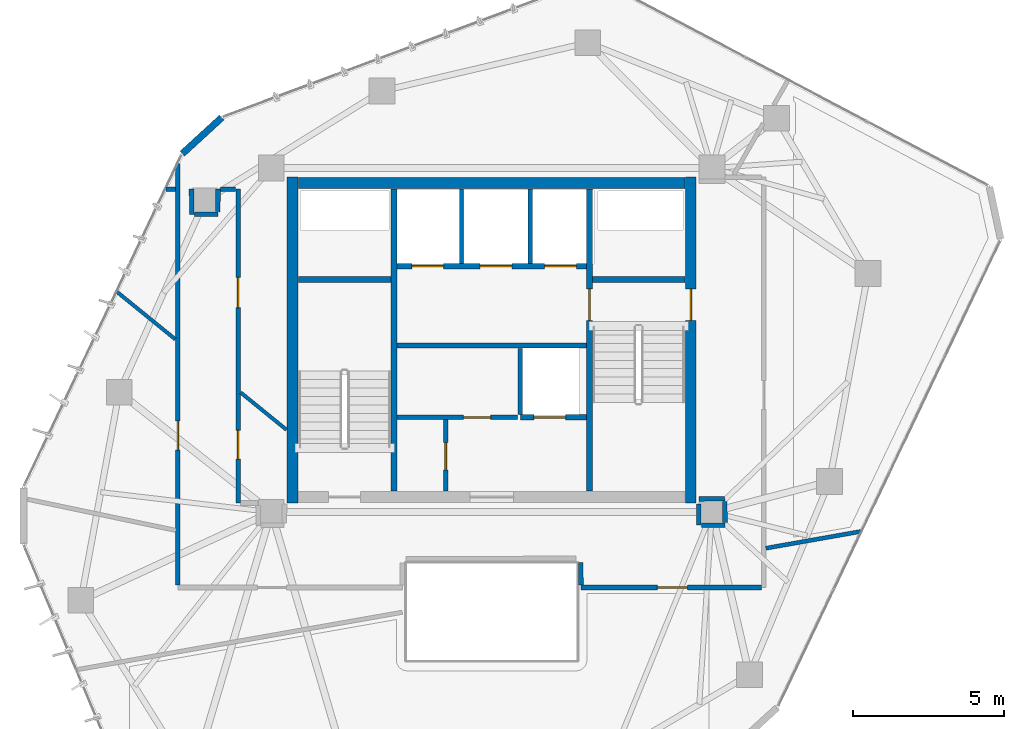
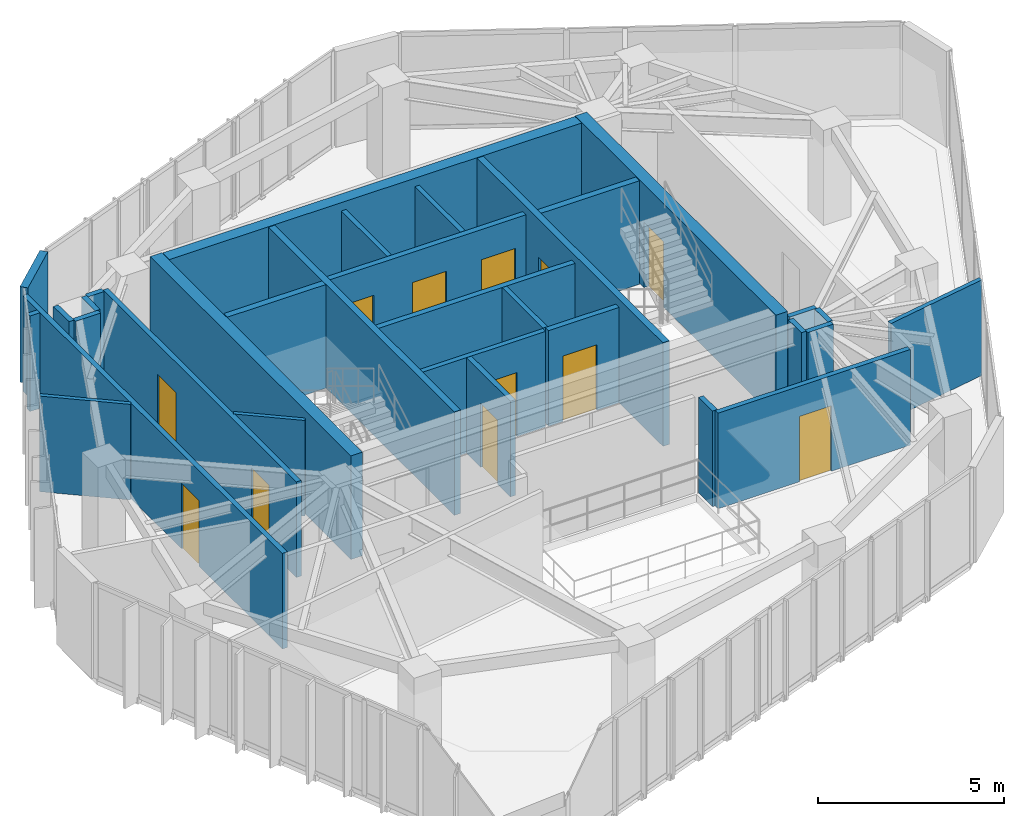
# One storey, part 17 of 20: 32 walls, 12 doors, 12 openings.
"""IFC4 building model written with IfcOpenShell, lengths in metres."""

from ifc_helpers import new_model, si_unit, direction, frame, frame_2d, origin, place, context, subcontext, project, spatial, rectangle, extrude, source, transform, mapped, material, layer, layer_set, type_object, type_shapes, element, fill, save


model = new_model("IFC4")

# Units and contexts
model_context = context("Model", 3, precision=1e-05, world=origin(), true_north=direction((0.0, 1.0)))
body_context = subcontext(model_context, "Body", "Model", "MODEL_VIEW")
ifc_project = project(units=[si_unit("LENGTHUNIT", "METRE"), si_unit("AREAUNIT", "SQUARE_METRE"), si_unit("VOLUMEUNIT", "CUBIC_METRE"), si_unit("PLANEANGLEUNIT", "RADIAN"), si_unit("MASSUNIT", "GRAM", prefix="KILO")], contexts=[model_context])

# Site, building, storey
site_placement = place(None, origin())
site = spatial("IfcSite", under=ifc_project, at=site_placement, CompositionType="ELEMENT")
building_placement = place(site_placement, origin())
building = spatial("IfcBuilding", under=site, at=building_placement, Name="Talar Marvaseh", CompositionType="ELEMENT")
storey_placement = place(building_placement, frame((0.0, 0.0, 281.60009765625)))
storey = spatial("IfcBuildingStorey", under=building, at=storey_placement, Name="L75", CompositionType="ELEMENT", Elevation=281.60009765625)

# Wall
ifc_material_1 = material(Name="Precast concrete C45/55", Category="concrete")
ifc_layer_1 = layer(ifc_material_1, 0.22509765625)
ifc_layer_set_1 = layer_set([ifc_layer_1], Name="Precast concrete C45/55")
wall_type_1 = type_object("IfcWallType", Name="Chamfered Hexagonal Corner Pier Wall Z4 225", PredefinedType="SOLIDWALL", material=ifc_layer_set_1)
wall_1_placement = place(storey_placement, frame((15.74560546875, 37.372802734375, 0.0), z_axis=(0.0, 0.0, 1.0), x_axis=(0.737347608301, 0.675513511733, 0.0)))
element("IfcWall", 1, at=wall_1_placement, inside=storey, type_object=wall_type_1, Name="L75 Chamfered Corner Limestone Pier 3", PredefinedType="SOLIDWALL", context=body_context, shape_type="SweptSolid", body=[
    extrude(rectangle(XDim=1.78076171875, YDim=0.22509765625, at=frame_2d((0.890380859375, 0.0))), origin(), (0.0, 0.0, 1.0), 3.139892578125),
])

# Wall, opening, door
ifc_material_2 = material(Name="Gypsum Board Partition Assembly")
ifc_layer_2 = layer(ifc_material_2, 0.155029296875)
ifc_layer_set_2 = layer_set([ifc_layer_2], Name="Gypsum Board Partition Assembly")
wall_type_2 = type_object("IfcWallType", Name="Corridor Fire-Rated Acoustic Partition 155", PredefinedType="PARTITIONING", material=ifc_layer_set_2)
wall_2_placement = place(storey_placement, frame((22.865966796875, 28.639892578125, 0.0), z_axis=(0.0, 0.0, 1.0), x_axis=(1.0, 0.0, 0.0)))
wall_2 = element("IfcWall", 2, at=wall_2_placement, inside=storey, type_object=wall_type_2, Name="L75 Core BOH Partition", PredefinedType="PARTITIONING", context=body_context, shape_type="SweptSolid", body=[
    extrude(rectangle(XDim=3.994140625, YDim=0.155029296875, at=frame_2d((1.9970703125, 0.0))), origin(), (0.0, 0.0, 1.0), 3.139892578125),
])
opening_1_placement = place(wall_2_placement, frame((2.199951171875, 0.0, 0.0)))
opening_1 = element("IfcOpeningElement", 3, at=opening_1_placement, cuts=wall_2, Name="Opening DR-BOH090", PredefinedType="OPENING", context=body_context, shape_type="SweptSolid", body=[
    extrude(rectangle(XDim=0.89990234375, YDim=2.10009765625, at=frame_2d((0.449951171875, 1.050048828125))), frame((0.0, 0.08740234375, 0.0), z_axis=(0.0, -1.0, 0.0), x_axis=(1.0, 0.0, 0.0)), (0.0, 0.0, 1.0), 0.175048828125),
])
ifc_material_3 = material(Name="Fire-Rated Steel Door Leaf", Category="steel")
door_type_1 = type_object("IfcDoorType", Name="Core Back-of-House Service Door 900x2100", OperationType="NOTDEFINED", PredefinedType="DOOR", material=ifc_material_3)
shared_shape_1 = source(origin(), body_context, "Body", "SweptSolid", [
    extrude(rectangle(XDim=0.89990234375, YDim=2.10009765625, at=frame_2d((0.449951171875, 1.050048828125))), frame((0.0, 0.02490234375, 0.0), z_axis=(0.0, -1.0, 0.0), x_axis=(1.0, 0.0, 0.0)), (0.0, 0.0, 1.0), 0.050048828125),
])
type_shapes(door_type_1, [shared_shape_1])
door_1_placement = place(opening_1_placement, origin())
door_1 = element("IfcDoor", 4, at=door_1_placement, inside=storey, type_object=door_type_1, Name="L75 Store Sky Core Archive Room Door", OperationType="SINGLE_SWING_LEFT", OverallHeight=2.10009765625, OverallWidth=0.89990234375, PredefinedType="DOOR", context=body_context, shape_type="MappedRepresentation", body=[
    mapped(shared_shape_1, transform((0.0, 0.0, 0.0), x_axis=(1.0, 0.0, 0.0), y_axis=(0.0, 1.0, 0.0), z_axis=(0.0, 0.0, 1.0), scale=1.0)),
])
fill(opening_1, door_1)

wall_3_placement = place(storey_placement, frame((24.47998046875, 26.199951171875, 0.0), z_axis=(0.0, 0.0, 1.0), x_axis=(0.0, 1.0, 0.0)))
wall_3 = element("IfcWall", 5, at=wall_3_placement, inside=storey, type_object=wall_type_2, Name="L75 Core BOH Partition", PredefinedType="PARTITIONING", context=body_context, shape_type="SweptSolid", body=[
    extrude(rectangle(XDim=2.360107421875, YDim=0.155029296875, at=frame_2d((1.18017578125, 0.0))), origin(), (0.0, 0.0, 1.0), 3.139892578125),
])
opening_2_placement = place(wall_3_placement, frame((0.699951171875, 0.0, 0.0)))
opening_2 = element("IfcOpeningElement", 6, at=opening_2_placement, cuts=wall_3, Name="Opening DR-BOH090", PredefinedType="OPENING", context=body_context, shape_type="SweptSolid", body=[
    extrude(rectangle(XDim=0.89990234375, YDim=2.10009765625, at=frame_2d((0.449951171875, 1.050048828125))), frame((0.0, 0.08740234375, 0.0), z_axis=(0.0, -1.0, 0.0), x_axis=(1.0, 0.0, 0.0)), (0.0, 0.0, 1.0), 0.175048828125),
])
door_2_placement = place(opening_2_placement, origin())
door_2 = element("IfcDoor", 7, at=door_2_placement, inside=storey, type_object=door_type_1, Name="L75 Cleaner and Linen Store Door", OperationType="SINGLE_SWING_LEFT", OverallHeight=2.10009765625, OverallWidth=0.89990234375, PredefinedType="DOOR", context=body_context, shape_type="MappedRepresentation", body=[
    mapped(shared_shape_1, transform((0.0, 0.0, 0.0), x_axis=(1.0, 0.0, 0.0), y_axis=(0.0, 1.0, 0.0), z_axis=(0.0, 0.0, 1.0), scale=1.0)),
])
fill(opening_2, door_2)

# Wall, openings, doors
wall_4_placement = place(storey_placement, frame((17.60009765625, 36.199951171875, 0.0), z_axis=(0.0, 0.0, 1.0), x_axis=(0.0, -1.0, 0.0)))
wall_4 = element("IfcWall", 8, at=wall_4_placement, inside=storey, type_object=wall_type_2, Name="L75 Interior Partition Wall", PredefinedType="PARTITIONING", context=body_context, shape_type="SweptSolid", body=[
    extrude(rectangle(XDim=10.39990234375, YDim=0.155029296875, at=frame_2d((5.199951171875, 0.0))), origin(), (0.0, 0.0, 1.0), 3.139892578125),
])
opening_3_placement = place(wall_4_placement, frame((7.989990234375, 0.0, 0.0)))
opening_3 = element("IfcOpeningElement", 9, at=opening_3_placement, cuts=wall_4, Name="Opening DR-WC095", PredefinedType="OPENING", context=body_context, shape_type="SweptSolid", body=[
    extrude(rectangle(XDim=0.949951171875, YDim=2.14990234375, at=frame_2d((0.47509765625, 1.074951171875))), frame((0.0, 0.08740234375, 0.0), z_axis=(0.0, -1.0, 0.0), x_axis=(1.0, 0.0, 0.0)), (0.0, 0.0, 1.0), 0.175048828125),
])
opening_4_placement = place(wall_4_placement, frame((2.92529296875, 0.0, 0.0)))
opening_4 = element("IfcOpeningElement", 10, at=opening_4_placement, cuts=wall_4, Name="Opening DR-RM100", PredefinedType="OPENING", context=body_context, shape_type="SweptSolid", body=[
    extrude(rectangle(XDim=1.0, YDim=2.14990234375, at=frame_2d((0.5, 1.074951171875))), frame((0.0, 0.08740234375, 0.0), z_axis=(0.0, -1.0, 0.0), x_axis=(1.0, 0.0, 0.0)), (0.0, 0.0, 1.0), 0.175048828125),
])
ifc_material_4 = material(Name="Acoustic Engineered Oak Timber", Category="wood")
door_type_2 = type_object("IfcDoorType", Name="Washroom and Service Room Door 950x2150", OperationType="NOTDEFINED", PredefinedType="DOOR", material=ifc_material_4)
shared_shape_2 = source(origin(), body_context, "Body", "SweptSolid", [
    extrude(rectangle(XDim=0.949951171875, YDim=2.14990234375, at=frame_2d((0.47509765625, 1.074951171875))), frame((0.0, 0.02490234375, 0.0), z_axis=(0.0, -1.0, 0.0), x_axis=(1.0, 0.0, 0.0)), (0.0, 0.0, 1.0), 0.050048828125),
])
type_shapes(door_type_2, [shared_shape_2])
door_3_placement = place(opening_3_placement, origin())
door_3 = element("IfcDoor", 11, at=door_3_placement, inside=storey, type_object=door_type_2, Name="L75 WC Public Washrooms Door", OperationType="SINGLE_SWING_RIGHT", OverallHeight=2.14990234375, OverallWidth=0.949951171875, PredefinedType="DOOR", context=body_context, shape_type="MappedRepresentation", body=[
    mapped(shared_shape_2, transform((0.0, 0.0, 0.0), x_axis=(1.0, 0.0, 0.0), y_axis=(0.0, 1.0, 0.0), z_axis=(0.0, 0.0, 1.0), scale=1.0)),
])
fill(opening_3, door_3)
door_type_3 = type_object("IfcDoorType", Name="Corridor Fire-Rated Gallery Door 1000x2150", OperationType="NOTDEFINED", PredefinedType="DOOR", material=ifc_material_4)
shared_shape_3 = source(origin(), body_context, "Body", "SweptSolid", [
    extrude(rectangle(XDim=1.0, YDim=2.14990234375, at=frame_2d((0.5, 1.074951171875))), frame((0.0, 0.02490234375, 0.0), z_axis=(0.0, -1.0, 0.0), x_axis=(1.0, 0.0, 0.0)), (0.0, 0.0, 1.0), 0.050048828125),
])
type_shapes(door_type_3, [shared_shape_3])
door_4_placement = place(opening_4_placement, origin())
door_4 = element("IfcDoor", 12, at=door_4_placement, inside=storey, type_object=door_type_3, Name="L75 Registrar Mail and Post Room Door", OperationType="SINGLE_SWING_RIGHT", OverallHeight=2.14990234375, OverallWidth=1.0, PredefinedType="DOOR", context=body_context, shape_type="MappedRepresentation", body=[
    mapped(shared_shape_3, transform((0.0, 0.0, 0.0), x_axis=(1.0, 0.0, 0.0), y_axis=(0.0, 1.0, 0.0), z_axis=(0.0, 0.0, 1.0), scale=1.0)),
])
fill(opening_4, door_4)

# Wall, opening, door
wall_5_placement = place(storey_placement, frame((34.9365234375, 23.0, 0.0), z_axis=(0.0, 0.0, 1.0), x_axis=(-1.0, 0.0, 0.0)))
wall_5 = element("IfcWall", 13, at=wall_5_placement, inside=storey, type_object=wall_type_2, Name="L75 Interior Partition Wall", PredefinedType="PARTITIONING", context=body_context, shape_type="SweptSolid", body=[
    extrude(rectangle(XDim=5.9765625, YDim=0.155029296875, at=frame_2d((2.98828125, 0.0))), origin(), (0.0, 0.0, 1.0), 3.139892578125),
])
opening_5_placement = place(wall_5_placement, frame((2.446533203125, 0.0, 0.0)))
opening_5 = element("IfcOpeningElement", 14, at=opening_5_placement, cuts=wall_5, Name="Opening DR-RM100", PredefinedType="OPENING", context=body_context, shape_type="SweptSolid", body=[
    extrude(rectangle(XDim=1.0, YDim=2.14990234375, at=frame_2d((0.5, 1.074951171875))), frame((0.0, 0.08740234375, 0.0), z_axis=(0.0, -1.0, 0.0), x_axis=(1.0, 0.0, 0.0)), (0.0, 0.0, 1.0), 0.175048828125),
])
door_5_placement = place(opening_5_placement, origin())
door_5 = element("IfcDoor", 15, at=door_5_placement, inside=storey, type_object=door_type_3, Name="L75 Curatorial Staff Control Room Door", OperationType="SINGLE_SWING_RIGHT", OverallHeight=2.14990234375, OverallWidth=1.0, PredefinedType="DOOR", context=body_context, shape_type="MappedRepresentation", body=[
    mapped(shared_shape_3, transform((0.0, 0.0, 0.0), x_axis=(1.0, 0.0, 0.0), y_axis=(0.0, 1.0, 0.0), z_axis=(0.0, 0.0, 1.0), scale=1.0)),
])
fill(opening_5, door_5)

wall_6_placement = place(storey_placement, frame((15.60009765625, 23.08349609375, 0.0), z_axis=(0.0, 0.0, 1.0), x_axis=(0.0, 1.0, 0.0)))
wall_6 = element("IfcWall", 16, at=wall_6_placement, inside=storey, type_object=wall_type_2, Name="L75 Interior Partition Wall", PredefinedType="PARTITIONING", context=body_context, shape_type="SweptSolid", body=[
    extrude(rectangle(XDim=13.96826171875, YDim=0.155029296875, at=frame_2d((6.984130859375, 0.0))), origin(), (0.0, 0.0, 1.0), 3.139892578125),
])
opening_6_placement = place(wall_6_placement, frame((4.481201171875, 0.0, 0.0)))
opening_6 = element("IfcOpeningElement", 17, at=opening_6_placement, cuts=wall_6, Name="Opening DR-WC095", PredefinedType="OPENING", context=body_context, shape_type="SweptSolid", body=[
    extrude(rectangle(XDim=0.949951171875, YDim=2.14990234375, at=frame_2d((0.47509765625, 1.074951171875))), frame((0.0, 0.08740234375, 0.0), z_axis=(0.0, -1.0, 0.0), x_axis=(1.0, 0.0, 0.0)), (0.0, 0.0, 1.0), 0.175048828125),
])
door_6_placement = place(opening_6_placement, origin())
door_6 = element("IfcDoor", 18, at=door_6_placement, inside=storey, type_object=door_type_2, Name="L75 Accessible WC Door", OperationType="SINGLE_SWING_LEFT", OverallHeight=2.14990234375, OverallWidth=0.949951171875, PredefinedType="DOOR", context=body_context, shape_type="MappedRepresentation", body=[
    mapped(shared_shape_2, transform((0.0, 0.0, 0.0), x_axis=(1.0, 0.0, 0.0), y_axis=(0.0, 1.0, 0.0), z_axis=(0.0, 0.0, 1.0), scale=1.0)),
])
fill(opening_6, door_6)

# Walls
wall_7_placement = place(storey_placement, frame((16.053955078125, 36.199951171875, 0.0), z_axis=(0.0, 0.0, 1.0), x_axis=(0.018168161375, -0.999834945335, 0.0)))
element("IfcWall", 19, at=wall_7_placement, inside=storey, type_object=wall_type_2, Name="L75 Interior Partition Wall", PredefinedType="PARTITIONING", context=body_context, shape_type="SweptSolid", body=[
    extrude(rectangle(XDim=0.833251953125, YDim=0.155029296875, at=frame_2d((0.41650390625, 0.0))), origin(), (0.0, 0.0, 1.0), 3.139892578125),
])
wall_8_placement = place(storey_placement, frame((16.152587890625, 35.3671875, 0.0), z_axis=(0.0, 0.0, 1.0), x_axis=(0.999997558852, 0.002209590566, 0.0)))
element("IfcWall", 20, at=wall_8_placement, inside=storey, type_object=wall_type_2, Name="L75 Interior Partition Wall", PredefinedType="PARTITIONING", context=body_context, shape_type="SweptSolid", body=[
    extrude(rectangle(XDim=0.7734375, YDim=0.155029296875, at=frame_2d((0.38671875, 0.0))), origin(), (0.0, 0.0, 1.0), 3.139892578125),
])
wall_9_placement = place(storey_placement, frame((16.927001953125, 35.452392578125, 0.0), z_axis=(0.0, 0.0, 1.0), x_axis=(0.009470509294, 0.999955153721, 0.0)))
element("IfcWall", 21, at=wall_9_placement, inside=storey, type_object=wall_type_2, Name="L75 Interior Partition Wall", PredefinedType="PARTITIONING", context=body_context, shape_type="SweptSolid", body=[
    extrude(rectangle(XDim=0.74755859375, YDim=0.155029296875, at=frame_2d((0.373779296875, 0.0))), origin(), (0.0, 0.0, 1.0), 3.139892578125),
])
wall_10_placement = place(storey_placement, frame((17.017578125, 36.199951171875, 0.0), z_axis=(0.0, 0.0, 1.0), x_axis=(1.0, 0.0, 0.0)))
element("IfcWall", 22, at=wall_10_placement, inside=storey, type_object=wall_type_2, Name="L75 Interior Partition Wall", PredefinedType="PARTITIONING", context=body_context, shape_type="SweptSolid", body=[
    extrude(rectangle(XDim=0.4990234375, YDim=0.155029296875, at=frame_2d((0.24951171875, 0.0))), origin(), (0.0, 0.0, 1.0), 3.139892578125),
])
wall_11_placement = place(storey_placement, frame((28.959716796875, 23.08349609375, 0.0), z_axis=(0.0, 0.0, 1.0), x_axis=(-0.003917697652, 0.999992325793, 0.0)))
element("IfcWall", 23, at=wall_11_placement, inside=storey, type_object=wall_type_2, Name="L75 Interior Partition Wall", PredefinedType="PARTITIONING", context=body_context, shape_type="SweptSolid", body=[
    extrude(rectangle(XDim=0.747802734375, YDim=0.155029296875, at=frame_2d((0.3740234375, 0.0))), origin(), (0.0, 0.0, 1.0), 3.139892578125),
])
wall_12_placement = place(storey_placement, frame((15.2080078125, 36.199951171875, 0.0), z_axis=(0.0, 0.0, 1.0), x_axis=(1.0, 0.0, 0.0)))
element("IfcWall", 24, at=wall_12_placement, inside=storey, type_object=wall_type_2, Name="L75 Interior Partition Wall", PredefinedType="PARTITIONING", context=body_context, shape_type="SweptSolid", body=[
    extrude(rectangle(XDim=0.30859375, YDim=0.155029296875, at=frame_2d((0.154296875, 0.0))), origin(), (0.0, 0.0, 1.0), 3.139892578125),
])
wall_13_placement = place(storey_placement, frame((33.72509765625, 25.93994140625, 0.0), z_axis=(0.0, 0.0, 1.0), x_axis=(-0.999986790873, -0.005139852152, 0.0)))
element("IfcWall", 25, at=wall_13_placement, inside=storey, type_object=wall_type_2, Name="L75 Interior Partition Wall", PredefinedType="PARTITIONING", context=body_context, shape_type="SweptSolid", body=[
    extrude(rectangle(XDim=0.85498046875, YDim=0.155029296875, at=frame_2d((0.427490234375, 0.0))), origin(), (0.0, 0.0, 1.0), 3.139892578125),
])
wall_14_placement = place(storey_placement, frame((32.864501953125, 25.772705078125, 0.0), z_axis=(0.0, 0.0, 1.0), x_axis=(0.0, -1.0, 0.0)))
element("IfcWall", 26, at=wall_14_placement, inside=storey, type_object=wall_type_2, Name="L75 Interior Partition Wall", PredefinedType="PARTITIONING", context=body_context, shape_type="SweptSolid", body=[
    extrude(rectangle(XDim=0.708251953125, YDim=0.155029296875, at=frame_2d((0.35400390625, 0.0))), origin(), (0.0, 0.0, 1.0), 3.139892578125),
])
wall_15_placement = place(storey_placement, frame((32.947998046875, 25.064453125, 0.0), z_axis=(0.0, 0.0, 1.0), x_axis=(1.0, 0.0, 0.0)))
element("IfcWall", 27, at=wall_15_placement, inside=storey, type_object=wall_type_2, Name="L75 Interior Partition Wall", PredefinedType="PARTITIONING", context=body_context, shape_type="SweptSolid", body=[
    extrude(rectangle(XDim=0.78759765625, YDim=0.155029296875, at=frame_2d((0.393798828125, 0.0))), origin(), (0.0, 0.0, 1.0), 3.139892578125),
])
wall_16_placement = place(storey_placement, frame((33.734619140625, 25.14794921875, 0.0), z_axis=(0.0, 0.0, 1.0), x_axis=(-0.012059770759, 0.99992727832, 0.0)))
element("IfcWall", 28, at=wall_16_placement, inside=storey, type_object=wall_type_2, Name="L75 Interior Partition Wall", PredefinedType="PARTITIONING", context=body_context, shape_type="SweptSolid", body=[
    extrude(rectangle(XDim=0.70849609375, YDim=0.155029296875, at=frame_2d((0.354248046875, 0.0))), origin(), (0.0, 0.0, 1.0), 3.139892578125),
])
ifc_layer_3 = layer(ifc_material_2, 0.1201171875)
ifc_layer_set_3 = layer_set([ifc_layer_3], Name="Gypsum Board Partition Assembly")
wall_type_3 = type_object("IfcWallType", Name="Demountable Studio Room Partition 120", PredefinedType="PARTITIONING", material=ifc_layer_set_3)
wall_17_placement = place(storey_placement, frame((17.68359375, 29.462158203125, 0.0), z_axis=(0.0, 0.0, 1.0), x_axis=(0.77607960029, -0.630634960983, 0.0)))
element("IfcWall", 29, at=wall_17_placement, inside=storey, type_object=wall_type_3, Name="L75 Interior Partition Wall", PredefinedType="PARTITIONING", context=body_context, shape_type="SweptSolid", body=[
    extrude(rectangle(XDim=1.953857421875, YDim=0.1201171875, at=frame_2d((0.97705078125, 0.0))), origin(), (0.0, 0.0, 1.0), 3.139892578125),
])
wall_18_placement = place(storey_placement, frame((15.5166015625, 31.227783203125, 0.0), z_axis=(0.0, 0.0, 1.0), x_axis=(-0.775990656978, 0.630744401705, 0.0)))
element("IfcWall", 30, at=wall_18_placement, inside=storey, type_object=wall_type_3, Name="L75 Interior Partition Wall", PredefinedType="PARTITIONING", context=body_context, shape_type="SweptSolid", body=[
    extrude(rectangle(XDim=2.482666015625, YDim=0.1201171875, at=frame_2d((1.2412109375, 0.0))), origin(), (0.0, 0.0, 1.0), 3.139892578125),
])
ifc_layer_4 = layer(ifc_material_1, 0.14501953125)
ifc_layer_set_4 = layer_set([ifc_layer_4], Name="Precast concrete C45/55")
wall_type_4 = type_object("IfcWallType", Name="Fire-Rated Lift Divider Wall 145", PredefinedType="SOLIDWALL", material=ifc_layer_set_4)
for number, where, z_axis, x_axis, name in (
    (31, (25.0, 33.743408203125, 0.0), (0.0, 0.0, 1.0), (0.0, 1.0, 0.0), "L75 FFL-1/FFL-2 Divider"),
    (32, (27.280029296875, 33.743408203125, 0.0), (0.0, 0.0, 1.0), (0.0, 1.0, 0.0), "L75 FFL-2/SVL-1 Divider"),
):
    element("IfcWall", number, at=place(storey_placement, frame(where, z_axis=z_axis, x_axis=x_axis)), inside=storey, type_object=wall_type_4, Name=name, PredefinedType="SOLIDWALL", context=body_context, shape_type="SweptSolid", body=[
        extrude(rectangle(XDim=2.45654296875, YDim=0.14501953125, at=frame_2d((1.228271484375, 0.0))), origin(), (0.0, 0.0, 1.0), 3.139892578125),
    ])
wall_19_placement = place(storey_placement, frame((26.949951171875, 28.7333984375, 0.0), z_axis=(0.0, 0.0, 1.0), x_axis=(0.0, 1.0, 0.0)))
element("IfcWall", 33, at=wall_19_placement, inside=storey, type_object=wall_type_4, Name="L75 PL-H3 West Shaft Wall", PredefinedType="SOLIDWALL", context=body_context, shape_type="SweptSolid", body=[
    extrude(rectangle(XDim=2.193115234375, YDim=0.14501953125, at=frame_2d((1.0966796875, 0.0))), origin(), (0.0, 0.0, 1.0), 3.139892578125),
])

# Wall, openings, doors
ifc_layer_5 = layer(ifc_material_1, 0.175048828125)
ifc_layer_set_5 = layer_set([ifc_layer_5], Name="Precast concrete C45/55")
wall_type_5 = type_object("IfcWallType", Name="Fire-Rated Lift Hoistway Enclosure Wall 175", PredefinedType="SOLIDWALL", material=ifc_layer_set_5)
wall_20_placement = place(storey_placement, frame((22.860107421875, 33.64990234375, 0.0), z_axis=(0.0, 0.0, 1.0), x_axis=(1.0, 0.0, 0.0)))
wall_20 = element("IfcWall", 34, at=wall_20_placement, inside=storey, type_object=wall_type_5, Name="L75 Firefighting and Service Lift Front Wall", PredefinedType="SOLIDWALL", context=body_context, shape_type="SweptSolid", body=[
    extrude(rectangle(XDim=6.27978515625, YDim=0.175048828125, at=frame_2d((3.139892578125, 0.0))), origin(), (0.0, 0.0, 1.0), 3.139892578125),
])
opening_7_placement = place(wall_20_placement, frame((0.5, 0.0, 0.0)))
opening_7 = element("IfcOpeningElement", 35, at=opening_7_placement, cuts=wall_20, Name="Opening LD-FF1", PredefinedType="OPENING", context=body_context, shape_type="SweptSolid", body=[
    extrude(rectangle(XDim=1.050048828125, YDim=2.14990234375, at=frame_2d((0.52490234375, 1.074951171875))), frame((0.0, 0.09765625, 0.0), z_axis=(0.0, -1.0, 0.0), x_axis=(1.0, 0.0, 0.0)), (0.0, 0.0, 1.0), 0.195068359375),
])
opening_8_placement = place(wall_20_placement, frame((2.760009765625, 0.0, 0.0)))
opening_8 = element("IfcOpeningElement", 36, at=opening_8_placement, cuts=wall_20, Name="Opening LD-FF2", PredefinedType="OPENING", context=body_context, shape_type="SweptSolid", body=[
    extrude(rectangle(XDim=1.050048828125, YDim=2.14990234375, at=frame_2d((0.52490234375, 1.074951171875))), frame((0.0, 0.09765625, 0.0), z_axis=(0.0, -1.0, 0.0), x_axis=(1.0, 0.0, 0.0)), (0.0, 0.0, 1.0), 0.195068359375),
])
opening_9_placement = place(wall_20_placement, frame((4.89990234375, 0.0, 0.0)))
opening_9 = element("IfcOpeningElement", 37, at=opening_9_placement, cuts=wall_20, Name="Opening LD-SV1", PredefinedType="OPENING", context=body_context, shape_type="SweptSolid", body=[
    extrude(rectangle(XDim=1.050048828125, YDim=2.14990234375, at=frame_2d((0.52490234375, 1.074951171875))), frame((0.0, 0.09765625, 0.0), z_axis=(0.0, -1.0, 0.0), x_axis=(1.0, 0.0, 0.0)), (0.0, 0.0, 1.0), 0.195068359375),
])
ifc_material_5 = material(Name="Stainless Steel Grade 316", Category="steel")
door_type_4 = type_object("IfcDoorType", Name="Automatic Sliding Lift Landing Door 1050x2150", OperationType="NOTDEFINED", PredefinedType="DOOR", material=ifc_material_5)
shared_shape_4 = source(origin(), body_context, "Body", "SweptSolid", [
    extrude(rectangle(XDim=1.050048828125, YDim=2.14990234375, at=frame_2d((0.52490234375, 1.074951171875))), frame((0.0, 0.02490234375, 0.0), z_axis=(0.0, -1.0, 0.0), x_axis=(1.0, 0.0, 0.0)), (0.0, 0.0, 1.0), 0.050048828125),
])
type_shapes(door_type_4, [shared_shape_4])
door_7_placement = place(opening_7_placement, origin())
door_7 = element("IfcDoor", 38, at=door_7_placement, inside=storey, type_object=door_type_4, Name="L75 Lift FFL-1 Sliding Landing Door", OperationType="SLIDING_TO_LEFT", OverallHeight=2.14990234375, OverallWidth=1.050048828125, PredefinedType="DOOR", context=body_context, shape_type="MappedRepresentation", body=[
    mapped(shared_shape_4, transform((0.0, 0.0, 0.0), x_axis=(1.0, 0.0, 0.0), y_axis=(0.0, 1.0, 0.0), z_axis=(0.0, 0.0, 1.0), scale=1.0)),
])
fill(opening_7, door_7)
door_8_placement = place(opening_8_placement, origin())
door_8 = element("IfcDoor", 39, at=door_8_placement, inside=storey, type_object=door_type_4, Name="L75 Lift FFL-2 Sliding Landing Door", OperationType="SLIDING_TO_LEFT", OverallHeight=2.14990234375, OverallWidth=1.050048828125, PredefinedType="DOOR", context=body_context, shape_type="MappedRepresentation", body=[
    mapped(shared_shape_4, transform((0.0, 0.0, 0.0), x_axis=(1.0, 0.0, 0.0), y_axis=(0.0, 1.0, 0.0), z_axis=(0.0, 0.0, 1.0), scale=1.0)),
])
fill(opening_8, door_8)
door_9_placement = place(opening_9_placement, origin())
door_9 = element("IfcDoor", 40, at=door_9_placement, inside=storey, type_object=door_type_4, Name="L75 Lift SVL-1 Sliding Landing Door", OperationType="SLIDING_TO_LEFT", OverallHeight=2.14990234375, OverallWidth=1.050048828125, PredefinedType="DOOR", context=body_context, shape_type="MappedRepresentation", body=[
    mapped(shared_shape_4, transform((0.0, 0.0, 0.0), x_axis=(1.0, 0.0, 0.0), y_axis=(0.0, 1.0, 0.0), z_axis=(0.0, 0.0, 1.0), scale=1.0)),
])
fill(opening_9, door_9)

# Wall
wall_21_placement = place(storey_placement, frame((22.860107421875, 31.02001953125, 0.0), z_axis=(0.0, 0.0, 1.0), x_axis=(1.0, 0.0, 0.0)))
element("IfcWall", 41, at=wall_21_placement, inside=storey, type_object=wall_type_5, Name="L75 Firefighting Lobby South Smoke Wall", PredefinedType="SOLIDWALL", context=body_context, shape_type="SweptSolid", body=[
    extrude(rectangle(XDim=6.27978515625, YDim=0.175048828125, at=frame_2d((3.139892578125, 0.0))), origin(), (0.0, 0.0, 1.0), 3.139892578125),
])

# Wall, opening, door
wall_22_placement = place(storey_placement, frame((26.949951171875, 28.639892578125, 0.0), z_axis=(0.0, 0.0, 1.0), x_axis=(1.0, 0.0, 0.0)))
wall_22 = element("IfcWall", 42, at=wall_22_placement, inside=storey, type_object=wall_type_5, Name="L75 Sky Express Lift Front Wall", PredefinedType="SOLIDWALL", context=body_context, shape_type="SweptSolid", body=[
    extrude(rectangle(XDim=2.18994140625, YDim=0.175048828125, at=frame_2d((1.094970703125, 0.0))), origin(), (0.0, 0.0, 1.0), 3.139892578125),
])
opening_10_placement = place(wall_22_placement, frame((0.449951171875, 0.0, 0.0)))
opening_10 = element("IfcOpeningElement", 43, at=opening_10_placement, cuts=wall_22, Name="Opening LD-PLH3", PredefinedType="OPENING", context=body_context, shape_type="SweptSolid", body=[
    extrude(rectangle(XDim=1.050048828125, YDim=2.14990234375, at=frame_2d((0.52490234375, 1.074951171875))), frame((0.0, 0.09765625, 0.0), z_axis=(0.0, -1.0, 0.0), x_axis=(1.0, 0.0, 0.0)), (0.0, 0.0, 1.0), 0.195068359375),
])
door_10_placement = place(opening_10_placement, origin())
door_10 = element("IfcDoor", 44, at=door_10_placement, inside=storey, type_object=door_type_4, Name="L75 Lift PL-H3 Sliding Landing Door", OperationType="SLIDING_TO_LEFT", OverallHeight=2.14990234375, OverallWidth=1.050048828125, PredefinedType="DOOR", context=body_context, shape_type="MappedRepresentation", body=[
    mapped(shared_shape_4, transform((0.0, 0.0, 0.0), x_axis=(1.0, 0.0, 0.0), y_axis=(0.0, 1.0, 0.0), z_axis=(0.0, 0.0, 1.0), scale=1.0)),
])
fill(opening_10, door_10)

# Walls
ifc_layer_6 = layer(ifc_material_2, 0.135009765625)
ifc_layer_set_6 = layer_set([ifc_layer_6], Name="Gypsum Board Partition Assembly")
wall_type_6 = type_object("IfcWallType", Name="Gallery High-Acoustic Partition 135", PredefinedType="PARTITIONING", material=ifc_layer_set_6)
wall_23_placement = place(storey_placement, frame((35.083984375, 24.30126953125, 0.0), z_axis=(0.0, 0.0, 1.0), x_axis=(0.984744349858, 0.174007371749, 0.0)))
element("IfcWall", 45, at=wall_23_placement, inside=storey, type_object=wall_type_6, Name="L75 Interior Partition Wall", PredefinedType="PARTITIONING", context=body_context, shape_type="SweptSolid", body=[
    extrude(rectangle(XDim=3.198974609375, YDim=0.135009765625, at=frame_2d((1.599609375, 0.0))), origin(), (0.0, 0.0, 1.0), 3.139892578125),
])
ifc_material_6 = material(Name="Concrete C50/60", Category="concrete")
ifc_layer_7 = layer(ifc_material_6, 0.199951171875)
ifc_layer_set_7 = layer_set([ifc_layer_7], Name="Concrete C50/60")
wall_type_7 = type_object("IfcWallType", Name="Stair Shaft Structural Concrete Shear Wall 200", PredefinedType="SHEAR", material=ifc_layer_set_7)
wall_24_placement = place(storey_placement, frame((22.760009765625, 26.199951171875, 0.0), z_axis=(0.0, 0.0, 1.0), x_axis=(0.0, 1.0, 0.0)))
element("IfcWall", 46, at=wall_24_placement, inside=storey, type_object=wall_type_7, Name="L75 Core West Stair Shear Wall", PredefinedType="SHEAR", context=body_context, shape_type="SweptSolid", body=[
    extrude(rectangle(XDim=10.0, YDim=0.199951171875, at=frame_2d((5.0, 0.0))), origin(), (0.0, 0.0, 1.0), 3.39990234375),
])

# Wall, opening, door
wall_25_placement = place(storey_placement, frame((29.239990234375, 26.199951171875, 0.0), z_axis=(0.0, 0.0, 1.0), x_axis=(0.0, 1.0, 0.0)))
wall_25 = element("IfcWall", 47, at=wall_25_placement, inside=storey, type_object=wall_type_7, Name="L75 Core East Stair Shear Wall", PredefinedType="SHEAR", context=body_context, shape_type="SweptSolid", body=[
    extrude(rectangle(XDim=10.0, YDim=0.199951171875, at=frame_2d((5.0, 0.0))), origin(), (0.0, 0.0, 1.0), 3.39990234375),
])
opening_11_placement = place(wall_25_placement, frame((5.64990234375, 0.0, 0.0)))
opening_11 = element("IfcOpeningElement", 48, at=opening_11_placement, cuts=wall_25, Name="Opening DR-ST105", PredefinedType="OPENING", context=body_context, shape_type="SweptSolid", body=[
    extrude(rectangle(XDim=1.050048828125, YDim=2.14990234375, at=frame_2d((0.52490234375, 1.074951171875))), frame((0.0, 0.10986328125, 0.0), z_axis=(0.0, -1.0, 0.0), x_axis=(1.0, 0.0, 0.0)), (0.0, 0.0, 1.0), 0.219970703125),
])
door_type_5 = type_object("IfcDoorType", Name="Protected Exit Stair Fire Door 1050x2150", OperationType="NOTDEFINED", PredefinedType="DOOR", material=ifc_material_3)
shared_shape_5 = source(origin(), body_context, "Body", "SweptSolid", [
    extrude(rectangle(XDim=1.050048828125, YDim=2.14990234375, at=frame_2d((0.52490234375, 1.074951171875))), frame((0.0, 0.02490234375, 0.0), z_axis=(0.0, -1.0, 0.0), x_axis=(1.0, 0.0, 0.0)), (0.0, 0.0, 1.0), 0.050048828125),
])
type_shapes(door_type_5, [shared_shape_5])
door_11_placement = place(opening_11_placement, origin())
door_11 = element("IfcDoor", 49, at=door_11_placement, inside=storey, type_object=door_type_5, Name="L75 Firefighting Lobby to Stair ST-2 Door", OperationType="SINGLE_SWING_LEFT", OverallHeight=2.14990234375, OverallWidth=1.050048828125, PredefinedType="DOOR", context=body_context, shape_type="MappedRepresentation", body=[
    mapped(shared_shape_5, transform((0.0, 0.0, 0.0), x_axis=(1.0, 0.0, 0.0), y_axis=(0.0, 1.0, 0.0), z_axis=(0.0, 0.0, 1.0), scale=1.0)),
])
fill(opening_11, door_11)

# Walls
for number, where, z_axis, x_axis, name in (
    (50, (19.60009765625, 33.199951171875, 0.0), (0.0, 0.0, 1.0), (1.0, 0.0, 0.0), "L75 Stair ST-1 North Shear Wall"),
    (51, (29.340087890625, 33.199951171875, 0.0), (0.0, 0.0, 1.0), (1.0, 0.0, 0.0), "L75 Stair ST-2 North Shear Wall"),
):
    element("IfcWall", number, at=place(storey_placement, frame(where, z_axis=z_axis, x_axis=x_axis)), inside=storey, type_object=wall_type_7, Name=name, PredefinedType="SHEAR", context=body_context, shape_type="SweptSolid", body=[
        extrude(rectangle(XDim=3.059814453125, YDim=0.199951171875, at=frame_2d((1.52978515625, 0.0))), origin(), (0.0, 0.0, 1.0), 3.39990234375),
    ])
ifc_layer_8 = layer(ifc_material_6, 0.360107421875)
ifc_layer_set_8 = layer_set([ifc_layer_8], Name="Concrete C50/60")
wall_type_8 = type_object("IfcWallType", Name="Upper Core Reinforced Concrete Shear Wall 360", PredefinedType="SHEAR", material=ifc_layer_set_8)
wall_26_placement = place(storey_placement, frame((19.39990234375, 25.800048828125, 0.0), z_axis=(0.0, 0.0, 1.0), x_axis=(0.0, 1.0, 0.0)))
element("IfcWall", 52, at=wall_26_placement, inside=storey, type_object=wall_type_8, Name="L75 West Core Shear Wall", PredefinedType="SHEAR", context=body_context, shape_type="SweptSolid", body=[
    extrude(rectangle(XDim=10.800048828125, YDim=0.360107421875, at=frame_2d((5.39990234375, 0.0))), origin(), (0.0, 0.0, 1.0), 3.39990234375),
])

# Wall, opening, door
wall_27_placement = place(storey_placement, frame((32.60009765625, 36.60009765625, 0.0), z_axis=(0.0, 0.0, 1.0), x_axis=(0.0, -1.0, 0.0)))
wall_27 = element("IfcWall", 53, at=wall_27_placement, inside=storey, type_object=wall_type_8, Name="L75 East Core Shear Wall", PredefinedType="SHEAR", context=body_context, shape_type="SweptSolid", body=[
    extrude(rectangle(XDim=10.800048828125, YDim=0.360107421875, at=frame_2d((5.39990234375, 0.0))), origin(), (0.0, 0.0, 1.0), 3.39990234375),
])
opening_12_placement = place(wall_27_placement, frame((3.699951171875, 0.0, 0.0)))
opening_12 = element("IfcOpeningElement", 54, at=opening_12_placement, cuts=wall_27, Name="Opening DR-ST105", PredefinedType="OPENING", context=body_context, shape_type="SweptSolid", body=[
    extrude(rectangle(XDim=1.050048828125, YDim=2.14990234375, at=frame_2d((0.52490234375, 1.074951171875))), frame((0.0, 0.18994140625, 0.0), z_axis=(0.0, -1.0, 0.0), x_axis=(1.0, 0.0, 0.0)), (0.0, 0.0, 1.0), 0.380126953125),
])
door_12_placement = place(opening_12_placement, origin())
door_12 = element("IfcDoor", 55, at=door_12_placement, inside=storey, type_object=door_type_5, Name="L75 Stair ST-2 Corridor Exit Door", OperationType="SINGLE_SWING_LEFT", OverallHeight=2.14990234375, OverallWidth=1.050048828125, PredefinedType="DOOR", context=body_context, shape_type="MappedRepresentation", body=[
    mapped(shared_shape_5, transform((0.0, 0.0, 0.0), x_axis=(1.0, 0.0, 0.0), y_axis=(0.0, 1.0, 0.0), z_axis=(0.0, 0.0, 1.0), scale=1.0)),
])
fill(opening_12, door_12)

# Wall
wall_28_placement = place(storey_placement, frame((19.60009765625, 36.39990234375, 0.0), z_axis=(0.0, 0.0, 1.0), x_axis=(1.0, 0.0, 0.0)))
element("IfcWall", 56, at=wall_28_placement, inside=storey, type_object=wall_type_8, Name="L75 North Core Shear Wall", PredefinedType="SHEAR", context=body_context, shape_type="SweptSolid", body=[
    extrude(rectangle(XDim=12.7998046875, YDim=0.360107421875, at=frame_2d((6.39990234375, 0.0))), origin(), (0.0, 0.0, 1.0), 3.39990234375),
])

save(model, "model.ifc")
